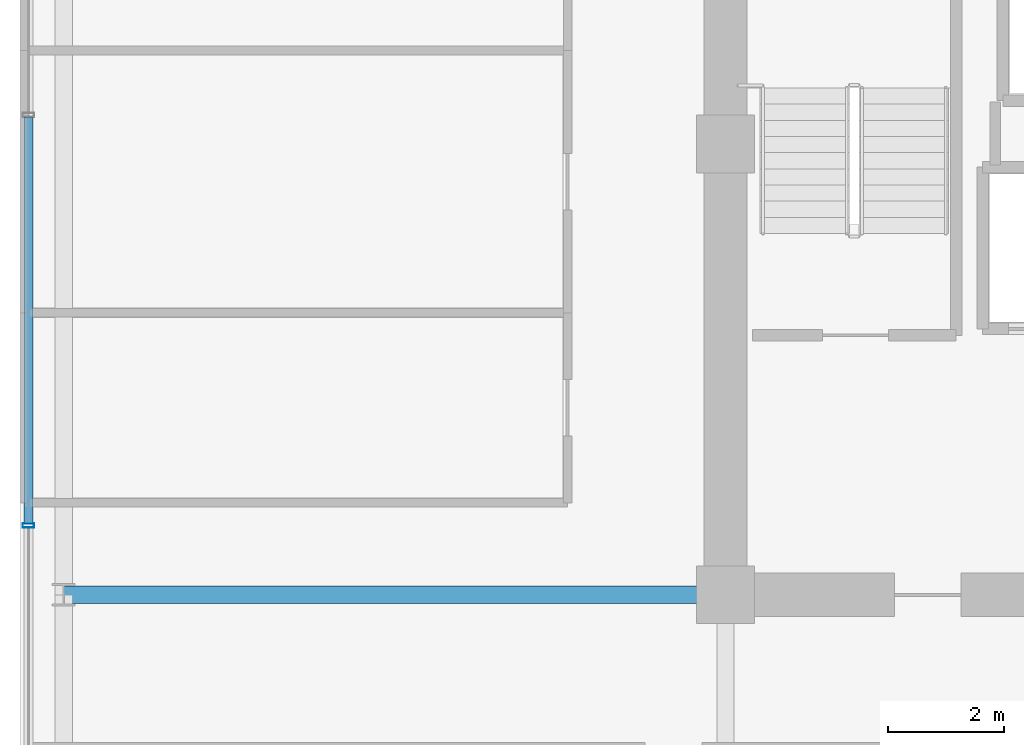
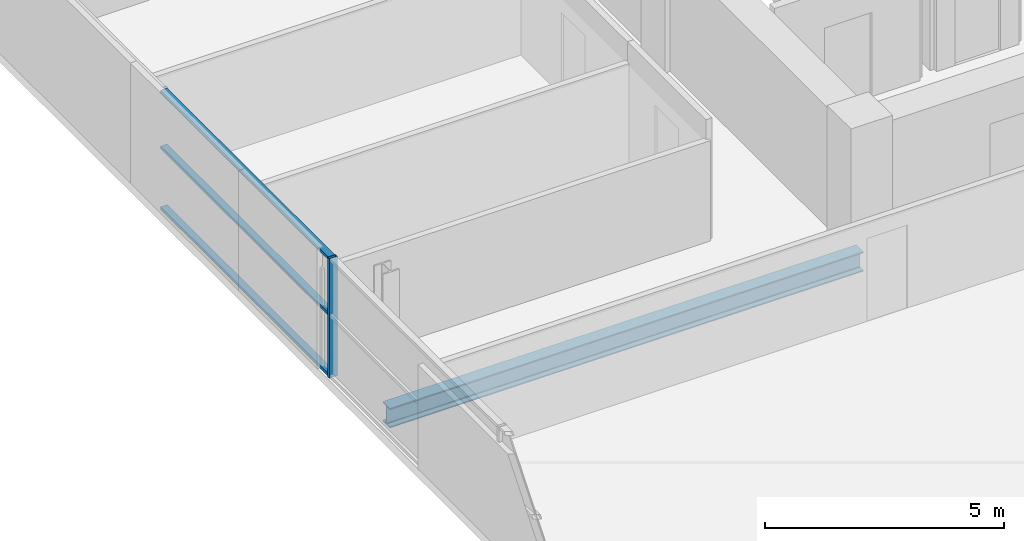
# One storey, part 9 of 25: 4 members, 1 beam, 1 element without a shape of its own.
"""IFC4 building model written with IfcOpenShell, lengths in metres."""

from ifc_helpers import new_model, si_unit, direction, frame, origin, origin_2d, place, context, subcontext, project, spatial, hollow_rectangle, i_section, extrude, source, transform, mapped, material, layer, layer_set, material_profile, profile_set, type_object, element, aggregate, save


model = new_model("IFC4")

# Units and contexts
model_context = context("Model", 3, precision=1e-05, world=origin(), true_north=direction((0.0, 1.0)))
body_context = subcontext(model_context, "Body", "Model", "MODEL_VIEW")
ifc_project = project(units=[si_unit("LENGTHUNIT", "METRE"), si_unit("AREAUNIT", "SQUARE_METRE"), si_unit("VOLUMEUNIT", "CUBIC_METRE"), si_unit("PLANEANGLEUNIT", "RADIAN"), si_unit("MASSUNIT", "GRAM", prefix="KILO")], contexts=[model_context])

# Site, building, storey
site_placement = place(None, origin())
site = spatial("IfcSite", under=ifc_project, at=site_placement, CompositionType="ELEMENT")
building_placement = place(site_placement, origin())
building = spatial("IfcBuilding", under=site, at=building_placement, Name="Zarnakvel Exchange Tower", CompositionType="ELEMENT")
storey_placement = place(building_placement, frame((0.0, 0.0, 156.10009765625)))
storey = spatial("IfcBuildingStorey", under=building, at=storey_placement, Name="L43", CompositionType="ELEMENT", Elevation=156.10009765625)

# Beam
ifc_material_1 = material(Name="Steel S355", Category="steel")
ifc_material_profile_1 = material_profile(ifc_material_1, i_section(OverallWidth=0.300048828125, OverallDepth=0.5, WebThickness=0.014404296875, FlangeThickness=0.028076171875, FilletRadius=0.027099609375, at=origin_2d()))
ifc_profile_set_1 = profile_set([ifc_material_profile_1], Name="Steel S355")
beam_type = type_object("IfcBeamType", Name="G-06", PredefinedType="BEAM", material=ifc_profile_set_1)
beam_placement = place(storey_placement, frame((-25.85009765625, -1.199951171875, -0.47509765625), z_axis=(1.0, 0.0, 0.0), x_axis=(0.0, 1.0, 0.0)))
element("IfcBeam", 1, at=beam_placement, inside=storey, type_object=beam_type, Name="L43 Tower E-W Frame Beam", PredefinedType="BEAM", context=body_context, shape_type="SweptSolid", body=[
    extrude(i_section(OverallWidth=0.300048828125, OverallDepth=0.5, WebThickness=0.014404296875, FlangeThickness=0.028076171875, FilletRadius=0.027099609375, at=origin_2d()), origin(), (0.0, 0.0, 1.0), 11.4501953125),
])

# Curtain wall, members
ifc_material_2 = material(Name="Architectural Bronze Anodised Aluminium", Category="aluminium")
ifc_layer = layer(ifc_material_2, 0.199951171875)
ifc_layer_set = layer_set([ifc_layer], Name="Architectural Bronze Anodised Aluminium")
curtain_wall_type = type_object("IfcCurtainWallType", Name="CW-04", PredefinedType="NOTDEFINED", material=ifc_layer_set)
curtain_wall_placement = place(storey_placement, origin())
curtain_wall = element("IfcCurtainWall", 2, at=curtain_wall_placement, inside=storey, type_object=curtain_wall_type, Name="L43 Curtain Wall CW-L43-W1 (CW-04)", PredefinedType="NOTDEFINED")
ifc_material_profile_2 = material_profile(ifc_material_2, hollow_rectangle(XDim=0.199951171875, YDim=0.074951171875, WallThickness=0.0048828125, at=origin_2d()))
ifc_profile_set_2 = profile_set([ifc_material_profile_2], Name="Architectural Bronze Anodised Aluminium")
member_type_1 = type_object("IfcMemberType", Name="CWM-04", PredefinedType="MULLION", material=ifc_profile_set_2)
shared_shape_1 = source(origin(), body_context, "Body", "SweptSolid", [
    extrude(hollow_rectangle(XDim=0.199951171875, YDim=0.074951171875, WallThickness=0.0048828125, at=origin_2d()), origin(), (0.0, 0.0, 1.0), 3.054931640625),
])
member_1_placement = place(storey_placement, frame((-26.4599609375, 0.0, 0.0), z_axis=(0.0, 0.0, 1.0), x_axis=(-1.0, 0.0, 0.0)))
member_1 = element("IfcMember", 3, at=member_1_placement, type_object=member_type_1, Name="CW-04 mullion 3", PredefinedType="MULLION", context=body_context, shape_type="MappedRepresentation", body=[
    mapped(shared_shape_1, transform((0.0, 0.0, 0.0), x_axis=(1.0, 0.0, 0.0), y_axis=(0.0, 1.0, 0.0), z_axis=(0.0, 0.0, 1.0), scale=1.0)),
])
ifc_material_profile_3 = material_profile(ifc_material_2, hollow_rectangle(XDim=0.159912109375, YDim=0.074951171875, WallThickness=0.00390625, at=origin_2d()))
ifc_profile_set_3 = profile_set([ifc_material_profile_3], Name="Architectural Bronze Anodised Aluminium")
member_type_2 = type_object("IfcMemberType", Name="CWT-04", PredefinedType="USERDEFINED", material=ifc_profile_set_3)
shared_shape_2 = source(origin(), body_context, "Body", "SweptSolid", [
    extrude(hollow_rectangle(XDim=0.159912109375, YDim=0.074951171875, WallThickness=0.00390625, at=origin_2d()), origin(), (0.0, 0.0, 1.0), 7.02490234375),
])
member_2_placement = place(storey_placement, frame((-26.4599609375, 0.03759765625, 0.037353515625), z_axis=(0.0, 1.0, 0.0), x_axis=(-1.0, 0.0, 0.0)))
member_2 = element("IfcMember", 4, at=member_2_placement, type_object=member_type_2, Name="CW-04 transom 3.1", ObjectType="TRANSOM", PredefinedType="USERDEFINED", context=body_context, shape_type="MappedRepresentation", body=[
    mapped(shared_shape_2, transform((0.0, 0.0, 0.0), x_axis=(1.0, 0.0, 0.0), y_axis=(0.0, 1.0, 0.0), z_axis=(0.0, 0.0, 1.0), scale=1.0)),
])
member_3_placement = place(storey_placement, frame((-26.4599609375, 0.03759765625, 1.588623046875), z_axis=(0.0, 1.0, 0.0), x_axis=(-1.0, 0.0, 0.0)))
member_3 = element("IfcMember", 5, at=member_3_placement, type_object=member_type_2, Name="CW-04 transom 3.2", ObjectType="TRANSOM", PredefinedType="USERDEFINED", context=body_context, shape_type="MappedRepresentation", body=[
    mapped(shared_shape_2, transform((0.0, 0.0, 0.0), x_axis=(1.0, 0.0, 0.0), y_axis=(0.0, 1.0, 0.0), z_axis=(0.0, 0.0, 1.0), scale=1.0)),
])
member_4_placement = place(storey_placement, frame((-26.4599609375, 0.03759765625, 3.017333984375), z_axis=(0.0, 1.0, 0.0), x_axis=(-1.0, 0.0, 0.0)))
member_4 = element("IfcMember", 6, at=member_4_placement, type_object=member_type_2, Name="CW-04 transom 3.3", ObjectType="TRANSOM", PredefinedType="USERDEFINED", context=body_context, shape_type="MappedRepresentation", body=[
    mapped(shared_shape_2, transform((0.0, 0.0, 0.0), x_axis=(1.0, 0.0, 0.0), y_axis=(0.0, 1.0, 0.0), z_axis=(0.0, 0.0, 1.0), scale=1.0)),
])
aggregate(curtain_wall, [member_1, member_2, member_3, member_4])

save(model, "model.ifc")
